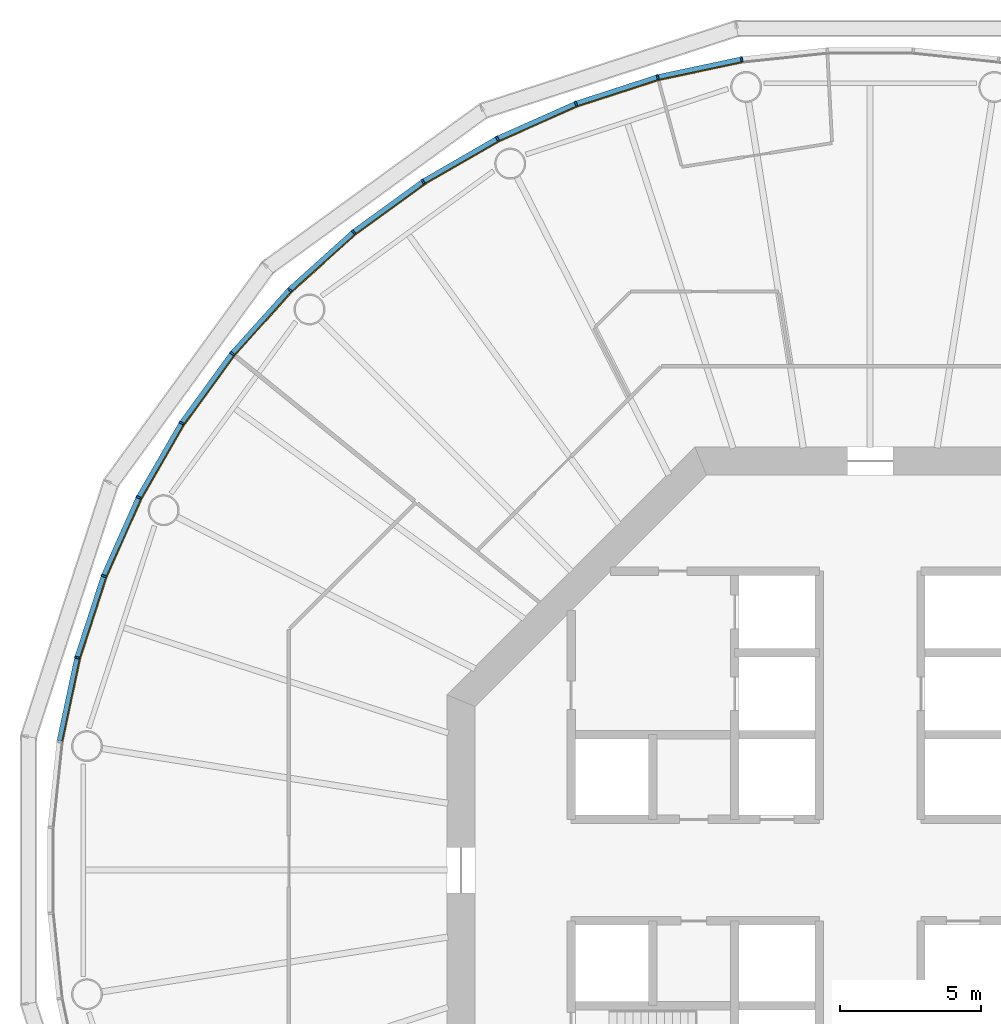
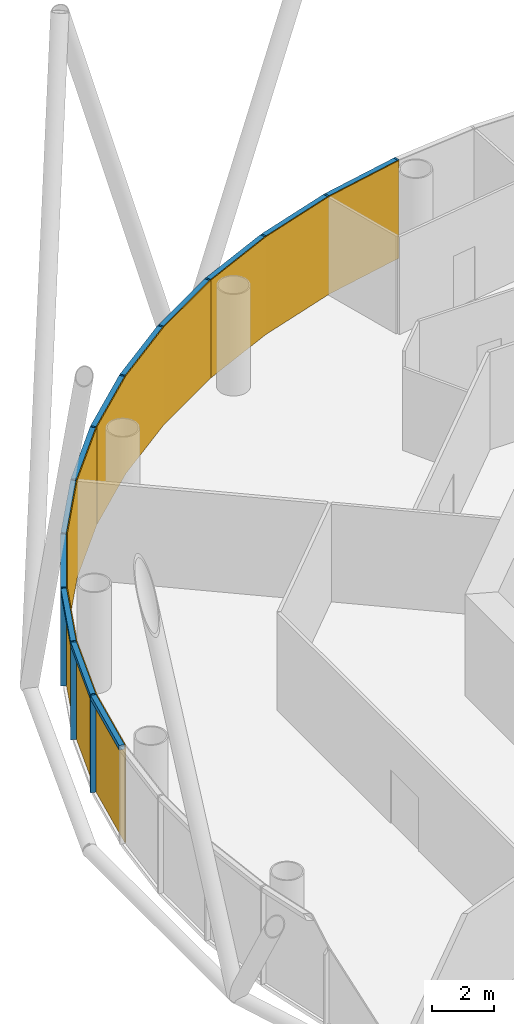
# One storey, part 9 of 12: 24 members, 4 curtain walls.
"""IFC4 building model written with IfcOpenShell, lengths in metres."""

from ifc_helpers import new_model, si_unit, direction, frame, origin, origin_2d, place, context, subcontext, project, spatial, polyline, rectangle, outline, extrude, material, layer, layer_set, material_profile, profile_set, type_object, element, aggregate, save


model = new_model("IFC4")

# Units and contexts
model_context = context("Model", 3, precision=1e-05, world=origin(), true_north=direction((0.0, 1.0)))
body_context = subcontext(model_context, "Body", "Model", "MODEL_VIEW")
ifc_project = project(units=[si_unit("LENGTHUNIT", "METRE"), si_unit("AREAUNIT", "SQUARE_METRE"), si_unit("VOLUMEUNIT", "CUBIC_METRE"), si_unit("PLANEANGLEUNIT", "RADIAN"), si_unit("MASSUNIT", "GRAM", prefix="KILO")], contexts=[model_context])

# Member
ifc_material_1 = material(Name="Anodised aluminium", Category="aluminium")
ifc_material_profile_1 = material_profile(ifc_material_1, rectangle(XDim=0.06494140625, YDim=0.18505859375, at=origin_2d()), Name="Mullion 65 x 185 mm anodised aluminium")
ifc_profile_set_1 = profile_set([ifc_material_profile_1], Name="Anodised aluminium")
member_type_1 = type_object("IfcMemberType", Name="Mullion 65 x 185 mm anodised aluminium", PredefinedType="MULLION", material=ifc_profile_set_1)
site_placement = place(None, origin())
building_placement = place(site_placement, origin())
storey_placement = place(building_placement, frame((0.0, 0.0, 144.0)))
member_1_placement = place(storey_placement, frame((85.448974609375, 108.734375, 0.0), z_axis=(0.0, 0.0, 1.0), x_axis=(-0.987688340595, -0.15643446504, 0.0)))
member_1 = element("IfcMember", 1, at=member_1_placement, type_object=member_type_1, Name="MULLION L32-15", PredefinedType="MULLION", context=body_context, shape_type="SweptSolid", body=[
    extrude(rectangle(XDim=0.06494140625, YDim=0.18505859375, at=origin_2d()), origin(), (0.0, 0.0, 1.0), 3.85009765625),
])

member_2_placement = place(storey_placement, frame((82.47021484375, 108.101318359375, 0.0), z_axis=(0.0, 0.0, 1.0), x_axis=(-0.965925826289, -0.258819045103, 0.0)))
member_2 = element("IfcMember", 2, at=member_2_placement, type_object=member_type_1, Name="MULLION L32-16", PredefinedType="MULLION", context=body_context, shape_type="SweptSolid", body=[
    extrude(rectangle(XDim=0.06494140625, YDim=0.18505859375, at=origin_2d()), origin(), (0.0, 0.0, 1.0), 3.85009765625),
])

member_3_placement = place(storey_placement, frame((79.57421875, 107.16015625, 0.0), z_axis=(0.0, 0.0, 1.0), x_axis=(-0.933580426497, -0.358367949545, 0.0)))
member_3 = element("IfcMember", 3, at=member_3_placement, type_object=member_type_1, Name="MULLION L32-17", PredefinedType="MULLION", context=body_context, shape_type="SweptSolid", body=[
    extrude(rectangle(XDim=0.06494140625, YDim=0.18505859375, at=origin_2d()), origin(), (0.0, 0.0, 1.0), 3.85009765625),
])

member_4_placement = place(storey_placement, frame((76.792236328125, 105.921630859375, 0.0), z_axis=(0.0, 0.0, 1.0), x_axis=(-0.891006524188, -0.45399049974, 0.0)))
member_4 = element("IfcMember", 4, at=member_4_placement, type_object=member_type_1, Name="MULLION L32-18", PredefinedType="MULLION", context=body_context, shape_type="SweptSolid", body=[
    extrude(rectangle(XDim=0.06494140625, YDim=0.18505859375, at=origin_2d()), origin(), (0.0, 0.0, 1.0), 3.85009765625),
])

member_5_placement = place(storey_placement, frame((74.155029296875, 104.39892578125, 0.0), z_axis=(0.0, 0.0, 1.0), x_axis=(-0.838670567945, -0.544639035015, 0.0)))
member_5 = element("IfcMember", 5, at=member_5_placement, type_object=member_type_1, Name="MULLION L32-19", PredefinedType="MULLION", context=body_context, shape_type="SweptSolid", body=[
    extrude(rectangle(XDim=0.06494140625, YDim=0.18505859375, at=origin_2d()), origin(), (0.0, 0.0, 1.0), 3.85009765625),
])

member_6_placement = place(storey_placement, frame((71.69140625, 102.609130859375, 0.0), z_axis=(0.0, 0.0, 1.0), x_axis=(-0.777145961457, -0.62932039105, 0.0)))
member_6 = element("IfcMember", 6, at=member_6_placement, type_object=member_type_1, Name="MULLION L32-20", PredefinedType="MULLION", context=body_context, shape_type="SweptSolid", body=[
    extrude(rectangle(XDim=0.06494140625, YDim=0.18505859375, at=origin_2d()), origin(), (0.0, 0.0, 1.0), 3.85009765625),
])

member_7_placement = place(storey_placement, frame((69.428466796875, 100.571533203125, 0.0), z_axis=(0.0, 0.0, 1.0), x_axis=(-0.707106781187, -0.707106781187, 0.0)))
member_7 = element("IfcMember", 7, at=member_7_placement, type_object=member_type_1, Name="MULLION L32-21", PredefinedType="MULLION", context=body_context, shape_type="SweptSolid", body=[
    extrude(rectangle(XDim=0.06494140625, YDim=0.18505859375, at=origin_2d()), origin(), (0.0, 0.0, 1.0), 3.85009765625),
])

member_8_placement = place(storey_placement, frame((67.390869140625, 98.30859375, 0.0), z_axis=(0.0, 0.0, 1.0), x_axis=(-0.62932039105, -0.777145961457, 0.0)))
member_8 = element("IfcMember", 8, at=member_8_placement, type_object=member_type_1, Name="MULLION L32-22", PredefinedType="MULLION", context=body_context, shape_type="SweptSolid", body=[
    extrude(rectangle(XDim=0.06494140625, YDim=0.18505859375, at=origin_2d()), origin(), (0.0, 0.0, 1.0), 3.85009765625),
])

member_9_placement = place(storey_placement, frame((65.60107421875, 95.844970703125, 0.0), z_axis=(0.0, 0.0, 1.0), x_axis=(-0.544639035015, -0.838670567945, 0.0)))
member_9 = element("IfcMember", 9, at=member_9_placement, type_object=member_type_1, Name="MULLION L32-23", PredefinedType="MULLION", context=body_context, shape_type="SweptSolid", body=[
    extrude(rectangle(XDim=0.06494140625, YDim=0.18505859375, at=origin_2d()), origin(), (0.0, 0.0, 1.0), 3.85009765625),
])

member_10_placement = place(storey_placement, frame((64.078369140625, 93.207763671875, 0.0), z_axis=(0.0, 0.0, 1.0), x_axis=(-0.45399049974, -0.891006524188, 0.0)))
member_10 = element("IfcMember", 10, at=member_10_placement, type_object=member_type_1, Name="MULLION L32-24", PredefinedType="MULLION", context=body_context, shape_type="SweptSolid", body=[
    extrude(rectangle(XDim=0.06494140625, YDim=0.18505859375, at=origin_2d()), origin(), (0.0, 0.0, 1.0), 3.85009765625),
])

member_11_placement = place(storey_placement, frame((62.83984375, 90.42578125, 0.0), z_axis=(0.0, 0.0, 1.0), x_axis=(-0.358367949545, -0.933580426497, 0.0)))
member_11 = element("IfcMember", 11, at=member_11_placement, type_object=member_type_1, Name="MULLION L32-25", PredefinedType="MULLION", context=body_context, shape_type="SweptSolid", body=[
    extrude(rectangle(XDim=0.06494140625, YDim=0.18505859375, at=origin_2d()), origin(), (0.0, 0.0, 1.0), 3.85009765625),
])

member_12_placement = place(storey_placement, frame((61.898681640625, 87.52978515625, 0.0), z_axis=(0.0, 0.0, 1.0), x_axis=(-0.258819045103, -0.965925826289, 0.0)))
member_12 = element("IfcMember", 12, at=member_12_placement, type_object=member_type_1, Name="MULLION L32-26", PredefinedType="MULLION", context=body_context, shape_type="SweptSolid", body=[
    extrude(rectangle(XDim=0.06494140625, YDim=0.18505859375, at=origin_2d()), origin(), (0.0, 0.0, 1.0), 3.85009765625),
])

ifc_material_2 = material(Name="Anodised aluminium", Category="aluminium")
ifc_material_profile_2 = material_profile(ifc_material_2, rectangle(XDim=0.18505859375, YDim=0.175048828125, at=origin_2d()), Name="Transom 175 x 185 mm anodised aluminium")
ifc_profile_set_2 = profile_set([ifc_material_profile_2], Name="Anodised aluminium")
member_type_2 = type_object("IfcMemberType", Name="Transom 175 x 185 mm anodised aluminium", PredefinedType="USERDEFINED", material=ifc_profile_set_2)
member_13_placement = place(storey_placement, frame((85.412353515625, 108.7265625, 3.762451171875), z_axis=(-0.97815822425, -0.207861704825, 0.0), x_axis=(0.207861704825, -0.97815822425, 0.0)))
member_13 = element("IfcMember", 13, at=member_13_placement, type_object=member_type_2, Name="TRANSOM L32-15", ObjectType="TRANSOM", PredefinedType="USERDEFINED", context=body_context, shape_type="SweptSolid", body=[
    extrude(rectangle(XDim=0.18505859375, YDim=0.175048828125, at=origin_2d()), origin(), (0.0, 0.0, 1.0), 2.970458984375),
])

member_14_placement = place(storey_placement, frame((82.434814453125, 108.08984375, 3.762451171875), z_axis=(-0.951055809184, -0.30901917063, 0.0), x_axis=(0.30901917063, -0.951055809184, 0.0)))
member_14 = element("IfcMember", 14, at=member_14_placement, type_object=member_type_2, Name="TRANSOM L32-16", ObjectType="TRANSOM", PredefinedType="USERDEFINED", context=body_context, shape_type="SweptSolid", body=[
    extrude(rectangle(XDim=0.18505859375, YDim=0.175048828125, at=origin_2d()), origin(), (0.0, 0.0, 1.0), 2.970703125),
])

member_15_placement = place(storey_placement, frame((79.5400390625, 107.14501953125, 3.762451171875), z_axis=(-0.913567348806, -0.406687471156, 0.0), x_axis=(0.406687471156, -0.913567348806, 0.0)))
member_15 = element("IfcMember", 15, at=member_15_placement, type_object=member_type_2, Name="TRANSOM L32-17", ObjectType="TRANSOM", PredefinedType="USERDEFINED", context=body_context, shape_type="SweptSolid", body=[
    extrude(rectangle(XDim=0.18505859375, YDim=0.175048828125, at=origin_2d()), origin(), (0.0, 0.0, 1.0), 2.970458984375),
])

member_16_placement = place(storey_placement, frame((76.759765625, 105.903076171875, 3.762451171875), z_axis=(-0.866009025146, -0.500028367561, 0.0), x_axis=(0.500028367561, -0.866009025146, 0.0)))
member_16 = element("IfcMember", 16, at=member_16_placement, type_object=member_type_2, Name="TRANSOM L32-18", ObjectType="TRANSOM", PredefinedType="USERDEFINED", context=body_context, shape_type="SweptSolid", body=[
    extrude(rectangle(XDim=0.18505859375, YDim=0.175048828125, at=origin_2d()), origin(), (0.0, 0.0, 1.0), 2.970458984375),
])

member_17_placement = place(storey_placement, frame((74.124755859375, 104.377197265625, 3.762451171875), z_axis=(-0.808991906087, -0.587819781808, 0.0), x_axis=(0.587819781808, -0.808991906087, 0.0)))
member_17 = element("IfcMember", 17, at=member_17_placement, type_object=member_type_2, Name="TRANSOM L32-19", ObjectType="TRANSOM", PredefinedType="USERDEFINED", context=body_context, shape_type="SweptSolid", body=[
    extrude(rectangle(XDim=0.18505859375, YDim=0.175048828125, at=origin_2d()), origin(), (0.0, 0.0, 1.0), 2.970458984375),
])

member_18_placement = place(storey_placement, frame((71.66357421875, 102.584228515625, 3.762451171875), z_axis=(-0.743163354343, -0.669110027395, 0.0), x_axis=(0.669110027395, -0.743163354343, 0.0)))
member_18 = element("IfcMember", 18, at=member_18_placement, type_object=member_type_2, Name="TRANSOM L32-20", ObjectType="TRANSOM", PredefinedType="USERDEFINED", context=body_context, shape_type="SweptSolid", body=[
    extrude(rectangle(XDim=0.18505859375, YDim=0.175048828125, at=origin_2d()), origin(), (0.0, 0.0, 1.0), 2.970458984375),
])

member_19_placement = place(storey_placement, frame((69.4033203125, 100.5439453125, 3.762451171875), z_axis=(-0.669110027395, -0.743163354343, 0.0), x_axis=(0.743163354343, -0.669110027395, 0.0)))
member_19 = element("IfcMember", 19, at=member_19_placement, type_object=member_type_2, Name="TRANSOM L32-21", ObjectType="TRANSOM", PredefinedType="USERDEFINED", context=body_context, shape_type="SweptSolid", body=[
    extrude(rectangle(XDim=0.18505859375, YDim=0.175048828125, at=origin_2d()), origin(), (0.0, 0.0, 1.0), 2.970458984375),
])

member_20_placement = place(storey_placement, frame((67.368896484375, 98.2783203125, 3.762451171875), z_axis=(-0.587819781808, -0.808991906087, 0.0), x_axis=(0.808991906087, -0.587819781808, 0.0)))
member_20 = element("IfcMember", 20, at=member_20_placement, type_object=member_type_2, Name="TRANSOM L32-22", ObjectType="TRANSOM", PredefinedType="USERDEFINED", context=body_context, shape_type="SweptSolid", body=[
    extrude(rectangle(XDim=0.18505859375, YDim=0.175048828125, at=origin_2d()), origin(), (0.0, 0.0, 1.0), 2.970458984375),
])

member_21_placement = place(storey_placement, frame((65.582275390625, 95.812744140625, 3.762451171875), z_axis=(-0.500028367561, -0.866009025146, 0.0), x_axis=(0.866009025146, -0.500028367561, 0.0)))
member_21 = element("IfcMember", 21, at=member_21_placement, type_object=member_type_2, Name="TRANSOM L32-23", ObjectType="TRANSOM", PredefinedType="USERDEFINED", context=body_context, shape_type="SweptSolid", body=[
    extrude(rectangle(XDim=0.18505859375, YDim=0.175048828125, at=origin_2d()), origin(), (0.0, 0.0, 1.0), 2.970458984375),
])

member_22_placement = place(storey_placement, frame((64.06298828125, 93.173583984375, 3.762451171875), z_axis=(-0.406687471156, -0.913567348806, 0.0), x_axis=(0.913567348806, -0.406687471156, 0.0)))
member_22 = element("IfcMember", 22, at=member_22_placement, type_object=member_type_2, Name="TRANSOM L32-24", ObjectType="TRANSOM", PredefinedType="USERDEFINED", context=body_context, shape_type="SweptSolid", body=[
    extrude(rectangle(XDim=0.18505859375, YDim=0.175048828125, at=origin_2d()), origin(), (0.0, 0.0, 1.0), 2.970458984375),
])

member_23_placement = place(storey_placement, frame((62.828125, 90.390380859375, 3.762451171875), z_axis=(-0.30901917063, -0.951055809184, 0.0), x_axis=(0.951055809184, -0.30901917063, 0.0)))
member_23 = element("IfcMember", 23, at=member_23_placement, type_object=member_type_2, Name="TRANSOM L32-25", ObjectType="TRANSOM", PredefinedType="USERDEFINED", context=body_context, shape_type="SweptSolid", body=[
    extrude(rectangle(XDim=0.18505859375, YDim=0.175048828125, at=origin_2d()), origin(), (0.0, 0.0, 1.0), 2.970703125),
])

member_24_placement = place(storey_placement, frame((61.890869140625, 87.4931640625, 3.762451171875), z_axis=(-0.207861704825, -0.97815822425, 0.0), x_axis=(0.97815822425, -0.207861704825, 0.0)))
member_24 = element("IfcMember", 24, at=member_24_placement, type_object=member_type_2, Name="TRANSOM L32-26", ObjectType="TRANSOM", PredefinedType="USERDEFINED", context=body_context, shape_type="SweptSolid", body=[
    extrude(rectangle(XDim=0.18505859375, YDim=0.175048828125, at=origin_2d()), origin(), (0.0, 0.0, 1.0), 2.970458984375),
])

# Site, building, storey
site = spatial("IfcSite", under=ifc_project, at=site_placement, CompositionType="ELEMENT")
building = spatial("IfcBuilding", under=site, at=building_placement, Name="Entoto Ring Tower", CompositionType="ELEMENT")
storey = spatial("IfcBuildingStorey", under=building, at=storey_placement, Name="L32", CompositionType="ELEMENT", Elevation=144.0)

# Curtain wall
ifc_material_3 = material(Name="Clear low-iron glass", Category="glass")
ifc_layer = layer(ifc_material_3, 0.033935546875)
ifc_layer_set = layer_set([ifc_layer], Name="Clear low-iron glass")
curtain_wall_type = type_object("IfcCurtainWallType", Name="Curtain wall system CW3 glazing 34 mm", PredefinedType="NOTDEFINED", material=ifc_layer_set)
curtain_wall_1_placement = place(storey_placement, origin())
curtain_wall_1 = element("IfcCurtainWall", 25, at=curtain_wall_1_placement, inside=storey, type_object=curtain_wall_type, Name="CW3 L32-06", PredefinedType="NOTDEFINED", context=body_context, shape_type="SweptSolid", body=[
    extrude(outline(polyline([(85.46337890625, 108.64306640625), (82.494140625, 108.011962890625), (79.607421875, 107.07373046875), (76.834228515625, 105.839111328125), (76.849853515625, 105.808837890625), (79.61962890625, 107.0419921875), (82.503173828125, 107.97900390625), (85.46875, 108.609375), (85.46337890625, 108.64306640625)])), origin(), (0.0, 0.0, 1.0), 3.85009765625),
])

aggregate(curtain_wall_1, [member_1, member_2, member_3, member_13, member_14, member_15])

curtain_wall_2_placement = place(storey_placement, origin())
curtain_wall_2 = element("IfcCurtainWall", 26, at=curtain_wall_2_placement, inside=storey, type_object=curtain_wall_type, Name="CW3 L32-07", PredefinedType="NOTDEFINED", context=body_context, shape_type="SweptSolid", body=[
    extrude(outline(polyline([(76.834228515625, 105.839111328125), (74.20556640625, 104.321533203125), (71.749755859375, 102.537353515625), (69.493896484375, 100.506103515625), (69.51806640625, 100.48193359375), (71.771240234375, 102.5107421875), (74.22412109375, 104.29296875), (76.849853515625, 105.808837890625), (76.834228515625, 105.839111328125)])), origin(), (0.0, 0.0, 1.0), 3.85009765625),
])

aggregate(curtain_wall_2, [member_4, member_5, member_6, member_16, member_17, member_18])

curtain_wall_3_placement = place(storey_placement, origin())
curtain_wall_3 = element("IfcCurtainWall", 27, at=curtain_wall_3_placement, inside=storey, type_object=curtain_wall_type, Name="CW3 L32-08", PredefinedType="NOTDEFINED", context=body_context, shape_type="SweptSolid", body=[
    extrude(outline(polyline([(69.493896484375, 100.506103515625), (67.462646484375, 98.250244140625), (65.678466796875, 95.79443359375), (64.160888671875, 93.165771484375), (64.191162109375, 93.150146484375), (65.70703125, 95.77587890625), (67.4892578125, 98.228759765625), (69.51806640625, 100.48193359375), (69.493896484375, 100.506103515625)])), origin(), (0.0, 0.0, 1.0), 3.85009765625),
])

aggregate(curtain_wall_3, [member_7, member_8, member_9, member_19, member_20, member_21])

curtain_wall_4_placement = place(storey_placement, origin())
curtain_wall_4 = element("IfcCurtainWall", 28, at=curtain_wall_4_placement, inside=storey, type_object=curtain_wall_type, Name="CW3 L32-09", PredefinedType="NOTDEFINED", context=body_context, shape_type="SweptSolid", body=[
    extrude(outline(polyline([(64.160888671875, 93.165771484375), (62.92626953125, 90.392578125), (61.988037109375, 87.505859375), (61.35693359375, 84.53662109375), (61.390625, 84.53125), (62.02099609375, 87.496826171875), (62.9580078125, 90.38037109375), (64.191162109375, 93.150146484375), (64.160888671875, 93.165771484375)])), origin(), (0.0, 0.0, 1.0), 3.85009765625),
])

aggregate(curtain_wall_4, [member_10, member_11, member_12, member_22, member_23, member_24])

save(model, "model.ifc")
